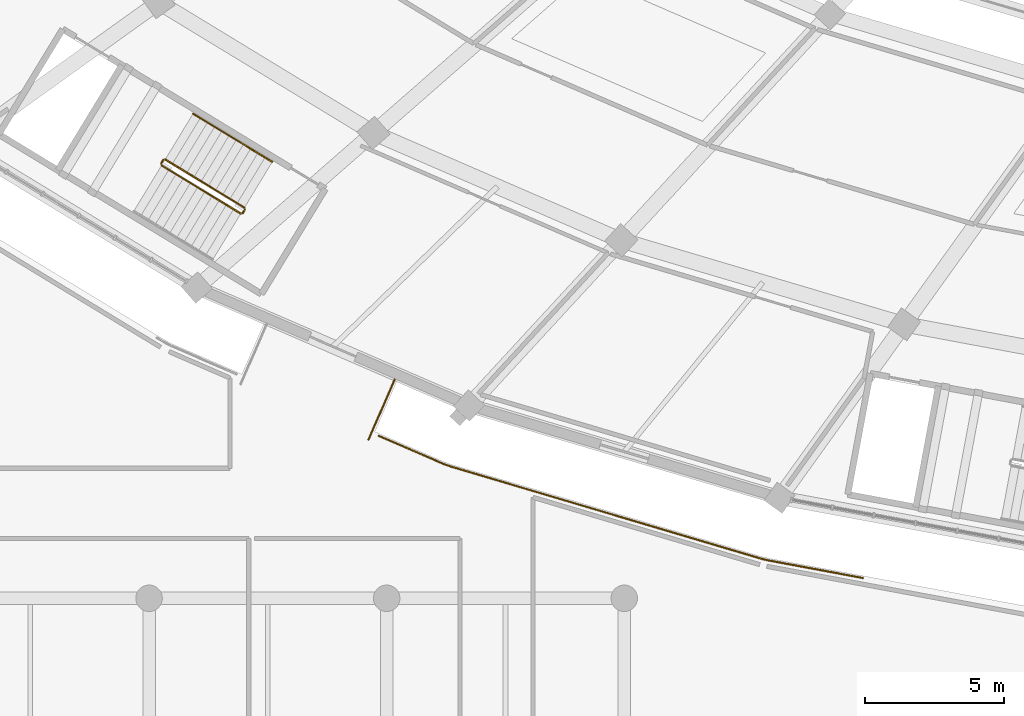
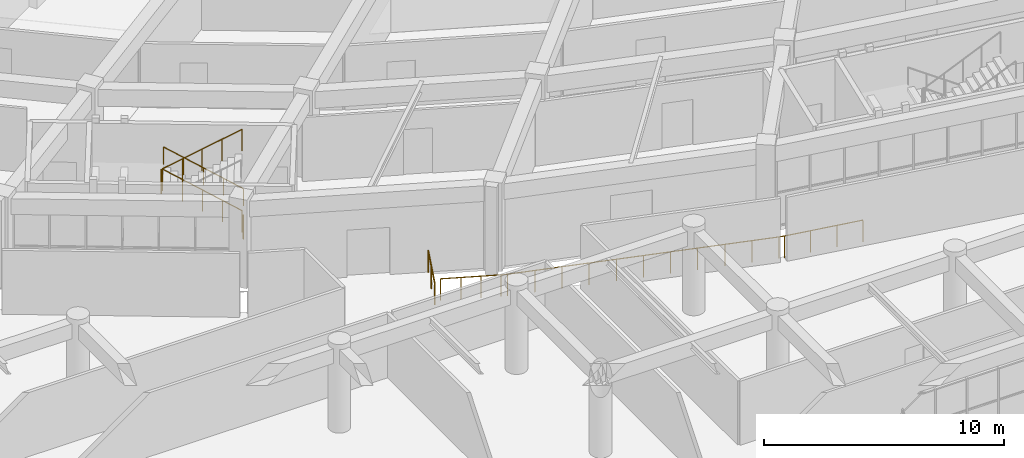
# One storey, part 118 of 145: 7 railings.
"""IFC4 building model written with IfcOpenShell, lengths in metres."""

from ifc_helpers import new_model, si_unit, direction, frame, origin, origin_2d, place, context, subcontext, project, spatial, circle, extrude, material, type_object, element, save


model = new_model("IFC4")

# Units and contexts
model_context = context("Model", 3, precision=1e-05, world=origin(), true_north=direction((0.0, 1.0)))
body_context = subcontext(model_context, "Body", "Model", "MODEL_VIEW")
ifc_project = project(units=[si_unit("LENGTHUNIT", "METRE"), si_unit("AREAUNIT", "SQUARE_METRE"), si_unit("VOLUMEUNIT", "CUBIC_METRE"), si_unit("PLANEANGLEUNIT", "RADIAN"), si_unit("MASSUNIT", "GRAM", prefix="KILO")], contexts=[model_context])

# Site, building, storey
site_placement = place(None, origin())
site = spatial("IfcSite", under=ifc_project, at=site_placement, CompositionType="ELEMENT")
building_placement = place(site_placement, origin())
building = spatial("IfcBuilding", under=site, at=building_placement, Name="Mphavela Belvedere Stadium", CompositionType="ELEMENT")
storey_placement = place(building_placement, frame((0.0, 0.0, 10.199951171875)))
storey = spatial("IfcBuildingStorey", under=building, at=storey_placement, Name="L02", CompositionType="ELEMENT", Elevation=10.199951171875)

# Railings
ifc_material_1 = material(Name="Bronze and laminated glass stadium balustrade", Category="glass")
railing_type_1 = type_object("IfcRailingType", Name="RAL-BALUSTRADE-1120", PredefinedType="BALUSTRADE", material=ifc_material_1)
railing_1_placement = place(storey_placement, frame((51.397216796875, 21.84619140625, 0.0)))
element("IfcRailing", 1, at=railing_1_placement, inside=storey, type_object=railing_type_1, Name="Colonnade link bridge balustrade L02-32B", PredefinedType="BALUSTRADE", context=body_context, shape_type="SweptSolid", body=[
    extrude(circle(Radius=0.02392578125, at=origin_2d()), frame((0.0, 0.0, 1.09619140625), z_axis=(-0.397677406785, -0.917525302176, 0.0), x_axis=(0.917525302176, -0.397677406785, 0.0)), (0.0, 0.0, 1.0), 2.35009765625),
    extrude(circle(Radius=0.02099609375, at=origin_2d()), origin(), (0.0, 0.0, 1.0), 1.072021484375),
    extrude(circle(Radius=0.02099609375, at=origin_2d()), frame((-0.46728515625, -1.078125, 0.0)), (0.0, 0.0, 1.0), 1.072021484375),
    extrude(circle(Radius=0.02099609375, at=origin_2d()), frame((-0.9345703125, -2.15625, 0.0)), (0.0, 0.0, 1.0), 1.072021484375),
])
railing_2_placement = place(storey_placement, frame((50.826904296875, 19.826416015625, 0.0)))
element("IfcRailing", 2, at=railing_2_placement, inside=storey, type_object=railing_type_1, Name="Peristyle wing gallery edge balustrade L02-03", PredefinedType="BALUSTRADE", context=body_context, shape_type="SweptSolid", body=[
    extrude(circle(Radius=0.02392578125, at=origin_2d()), frame((0.0, 0.0, 1.09619140625), z_axis=(0.917490104343, -0.397758605731, 0.0), x_axis=(0.397758605731, 0.917490104343, 0.0)), (0.0, 0.0, 1.0), 2.5380859375),
    extrude(circle(Radius=0.02392578125, at=origin_2d()), frame((2.32861328125, -1.009521484375, 1.09619140625), z_axis=(0.93961160912, -0.342242639083, 0.0), x_axis=(0.342242639083, 0.93961160912, 0.0)), (0.0, 0.0, 1.0), 0.274658203125),
    extrude(circle(Radius=0.02392578125, at=origin_2d()), frame((2.586669921875, -1.103515625, 1.09619140625), z_axis=(0.958663797484, -0.284541250776, 0.0), x_axis=(0.284541250776, 0.958663797484, 0.0)), (0.0, 0.0, 1.0), 11.61669921875),
    extrude(circle(Radius=0.02392578125, at=origin_2d()), frame((13.72314453125, -4.408935546875, 1.09619140625), z_axis=(0.972275475429, -0.233838405483, 0.0), x_axis=(0.233838405483, 0.972275475429, 0.0)), (0.0, 0.0, 1.0), 0.238037109375),
    extrude(circle(Radius=0.02392578125, at=origin_2d()), frame((13.95458984375, -4.464599609375, 1.09619140625), z_axis=(0.983089595219, -0.183125224291, 0.0), x_axis=(0.183125224291, 0.983089595219, 0.0)), (0.0, 0.0, 1.0), 3.459716796875),
    extrude(circle(Radius=0.02099609375, at=origin_2d()), origin(), (0.0, 0.0, 1.0), 1.072021484375),
    extrude(circle(Radius=0.02099609375, at=origin_2d()), frame((0.776123046875, -0.33642578125, 0.0)), (0.0, 0.0, 1.0), 1.072021484375),
    extrude(circle(Radius=0.02099609375, at=origin_2d()), frame((1.552490234375, -0.673095703125, 0.0)), (0.0, 0.0, 1.0), 1.072021484375),
    extrude(circle(Radius=0.02099609375, at=origin_2d()), frame((2.32861328125, -1.009521484375, 0.0)), (0.0, 0.0, 1.0), 1.072021484375),
    extrude(circle(Radius=0.02099609375, at=origin_2d()), frame((2.586669921875, -1.103515625, 0.0)), (0.0, 0.0, 1.0), 1.072021484375),
    extrude(circle(Radius=0.02099609375, at=origin_2d()), frame((3.7001953125, -1.43408203125, 0.0)), (0.0, 0.0, 1.0), 1.072021484375),
    extrude(circle(Radius=0.02099609375, at=origin_2d()), frame((4.81396484375, -1.7646484375, 0.0)), (0.0, 0.0, 1.0), 1.072021484375),
    extrude(circle(Radius=0.02099609375, at=origin_2d()), frame((5.927734375, -2.09521484375, 0.0)), (0.0, 0.0, 1.0), 1.072021484375),
    extrude(circle(Radius=0.02099609375, at=origin_2d()), frame((7.041259765625, -2.42578125, 0.0)), (0.0, 0.0, 1.0), 1.072021484375),
    extrude(circle(Radius=0.02099609375, at=origin_2d()), frame((8.15478515625, -2.75634765625, 0.0)), (0.0, 0.0, 1.0), 1.072021484375),
    extrude(circle(Radius=0.02099609375, at=origin_2d()), frame((9.2685546875, -3.086669921875, 0.0)), (0.0, 0.0, 1.0), 1.072021484375),
    extrude(circle(Radius=0.02099609375, at=origin_2d()), frame((10.38232421875, -3.417236328125, 0.0)), (0.0, 0.0, 1.0), 1.072021484375),
    extrude(circle(Radius=0.02099609375, at=origin_2d()), frame((11.495849609375, -3.747802734375, 0.0)), (0.0, 0.0, 1.0), 1.072021484375),
    extrude(circle(Radius=0.02099609375, at=origin_2d()), frame((12.609375, -4.078369140625, 0.0)), (0.0, 0.0, 1.0), 1.072021484375),
    extrude(circle(Radius=0.02099609375, at=origin_2d()), frame((13.72314453125, -4.408935546875, 0.0)), (0.0, 0.0, 1.0), 1.072021484375),
    extrude(circle(Radius=0.02099609375, at=origin_2d()), frame((13.95458984375, -4.464599609375, 0.0)), (0.0, 0.0, 1.0), 1.072021484375),
    extrude(circle(Radius=0.02099609375, at=origin_2d()), frame((15.08837890625, -4.67578125, 0.0)), (0.0, 0.0, 1.0), 1.072021484375),
    extrude(circle(Radius=0.02099609375, at=origin_2d()), frame((16.221923828125, -4.886962890625, 0.0)), (0.0, 0.0, 1.0), 1.072021484375),
    extrude(circle(Radius=0.02099609375, at=origin_2d()), frame((17.355712890625, -5.09814453125, 0.0)), (0.0, 0.0, 1.0), 1.072021484375),
])
ifc_material_2 = material(Name="Painted galvanised steel stair guardrail", Category="steel")
railing_type_2 = type_object("IfcRailingType", Name="RAL-GUARD-1120", PredefinedType="GUARDRAIL", material=ifc_material_2)
railing_3_placement = place(storey_placement, frame((46.01171875, 28.00634765625, 0.1875)))
element("IfcRailing", 3, at=railing_3_placement, inside=storey, type_object=railing_type_2, Name="L02 ST-C10 stair guard 1", PredefinedType="GUARDRAIL", context=body_context, shape_type="SweptSolid", body=[
    extrude(circle(Radius=0.02392578125, at=origin_2d()), frame((0.0, 0.0, 1.09619140625), z_axis=(-0.725842161385, 0.441499348228, 0.527476522957), x_axis=(-0.519674131948, -0.854364557191, 0.0)), (0.0, 0.0, 1.0), 3.91015625),
    extrude(circle(Radius=0.02099609375, at=origin_2d()), origin(), (0.0, 0.0, 1.0), 1.072021484375),
    extrude(circle(Radius=0.02099609375, at=origin_2d()), frame((-0.70947265625, 0.431640625, 0.515625)), (0.0, 0.0, 1.0), 1.072021484375),
    extrude(circle(Radius=0.02099609375, at=origin_2d()), frame((-1.4189453125, 0.86328125, 1.03125)), (0.0, 0.0, 1.0), 1.072021484375),
    extrude(circle(Radius=0.02099609375, at=origin_2d()), frame((-2.128662109375, 1.294677734375, 1.546875)), (0.0, 0.0, 1.0), 1.072021484375),
    extrude(circle(Radius=0.02099609375, at=origin_2d()), frame((-2.838134765625, 1.726318359375, 2.0625)), (0.0, 0.0, 1.0), 1.072021484375),
])
railing_4_placement = place(storey_placement, frame((43.104736328125, 29.716064453125, 2.25)))
element("IfcRailing", 4, at=railing_4_placement, inside=storey, type_object=railing_type_2, Name="L02 ST-C10 stair guard 2", PredefinedType="GUARDRAIL", context=body_context, shape_type="SweptSolid", body=[
    extrude(circle(Radius=0.02392578125, at=origin_2d()), frame((0.0, 0.0, 1.09619140625), z_axis=(-0.51927544977, -0.85460693144, 0.0), x_axis=(0.85460693144, -0.51927544977, 0.0)), (0.0, 0.0, 1.0), 0.14990234375),
    extrude(circle(Radius=0.02099609375, at=origin_2d()), origin(), (0.0, 0.0, 1.0), 1.072021484375),
    extrude(circle(Radius=0.02099609375, at=origin_2d()), frame((-0.077880859375, -0.128173828125, 0.0)), (0.0, 0.0, 1.0), 1.072021484375),
])
railing_5_placement = place(storey_placement, frame((43.043701171875, 29.519287109375, 2.4375)))
element("IfcRailing", 5, at=railing_5_placement, inside=storey, type_object=railing_type_2, Name="L02 ST-C10 stair guard 3", PredefinedType="GUARDRAIL", context=body_context, shape_type="SweptSolid", body=[
    extrude(circle(Radius=0.02392578125, at=origin_2d()), frame((0.0, 0.0, 1.09619140625), z_axis=(0.725822151977, -0.441549613658, 0.527461981927), x_axis=(0.519727774796, 0.854331926189, 0.0)), (0.0, 0.0, 1.0), 3.91015625),
    extrude(circle(Radius=0.02099609375, at=origin_2d()), origin(), (0.0, 0.0, 1.0), 1.072021484375),
    extrude(circle(Radius=0.02099609375, at=origin_2d()), frame((0.70947265625, -0.431640625, 0.515625)), (0.0, 0.0, 1.0), 1.072021484375),
    extrude(circle(Radius=0.02099609375, at=origin_2d()), frame((1.4189453125, -0.86328125, 1.03125)), (0.0, 0.0, 1.0), 1.072021484375),
    extrude(circle(Radius=0.02099609375, at=origin_2d()), frame((2.128662109375, -1.294921875, 1.546875)), (0.0, 0.0, 1.0), 1.072021484375),
    extrude(circle(Radius=0.02099609375, at=origin_2d()), frame((2.838134765625, -1.7265625, 2.0625)), (0.0, 0.0, 1.0), 1.072021484375),
])
railing_6_placement = place(storey_placement, frame((46.028564453125, 27.937744140625, 0.0)))
element("IfcRailing", 6, at=railing_6_placement, inside=storey, type_object=railing_type_2, Name="L02 ST-C10 stair guard 4", PredefinedType="GUARDRAIL", context=body_context, shape_type="SweptSolid", body=[
    extrude(circle(Radius=0.02392578125, at=origin_2d()), frame((0.0, 0.0, 1.09619140625), z_axis=(-0.520462828118, -0.853884327381, 0.0), x_axis=(0.853884327381, -0.520462828118, 0.0)), (0.0, 0.0, 1.0), 0.150146484375),
    extrude(circle(Radius=0.02099609375, at=origin_2d()), origin(), (0.0, 0.0, 1.0), 1.072021484375),
    extrude(circle(Radius=0.02099609375, at=origin_2d()), frame((-0.078125, -0.128173828125, 0.0)), (0.0, 0.0, 1.0), 1.072021484375),
])
ifc_material_3 = material(Name="Brushed stainless steel tubular handrail", Category="steel")
railing_type_3 = type_object("IfcRailingType", Name="RAL-HANDRAIL-900", PredefinedType="HANDRAIL", material=ifc_material_3)
railing_7_placement = place(storey_placement, frame((47.009521484375, 29.646728515625, 0.1875)))
element("IfcRailing", 7, at=railing_7_placement, inside=storey, type_object=railing_type_3, Name="L02 ST-C10 stair handrail 1", PredefinedType="HANDRAIL", context=body_context, shape_type="SweptSolid", body=[
    extrude(circle(Radius=0.02392578125, at=origin_2d()), frame((0.0, 0.0, 0.8759765625), z_axis=(-0.725842161385, 0.441499348228, 0.527476522957), x_axis=(-0.519674131948, -0.854364557191, 0.0)), (0.0, 0.0, 1.0), 3.91015625),
    extrude(circle(Radius=0.02099609375, at=origin_2d()), origin(), (0.0, 0.0, 1.0), 0.851806640625),
    extrude(circle(Radius=0.02099609375, at=origin_2d()), frame((-0.70947265625, 0.431640625, 0.515625)), (0.0, 0.0, 1.0), 0.851806640625),
    extrude(circle(Radius=0.02099609375, at=origin_2d()), frame((-1.4189453125, 0.86328125, 1.03125)), (0.0, 0.0, 1.0), 0.851806640625),
    extrude(circle(Radius=0.02099609375, at=origin_2d()), frame((-2.128662109375, 1.294677734375, 1.546875)), (0.0, 0.0, 1.0), 0.851806640625),
    extrude(circle(Radius=0.02099609375, at=origin_2d()), frame((-2.838134765625, 1.726318359375, 2.0625)), (0.0, 0.0, 1.0), 0.851806640625),
])

save(model, "model.ifc")
